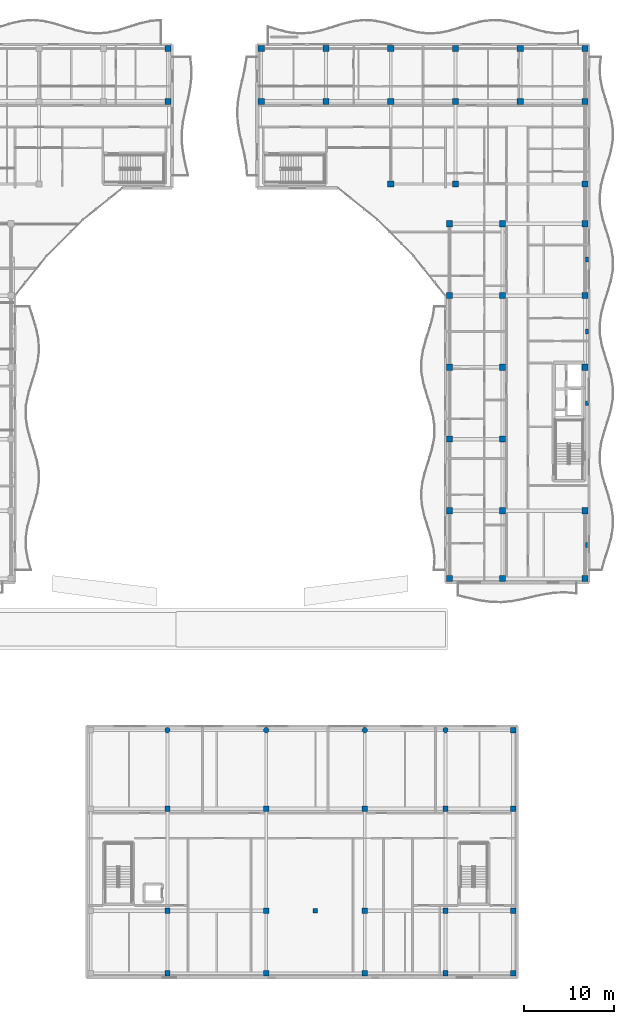
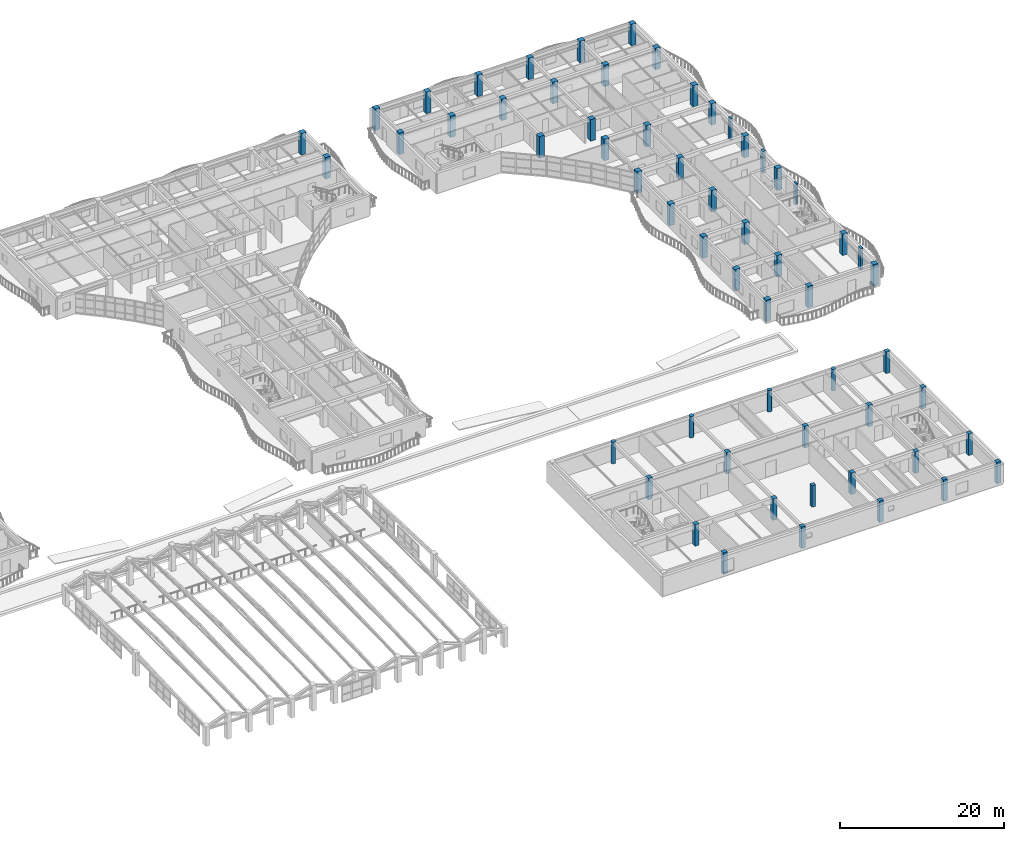
# One storey, part 3 of 128: 59 columns.
"""IFC4 building model written with IfcOpenShell, lengths in metres."""

from ifc_helpers import new_model, si_unit, direction, frame, origin, origin_2d, place, context, subcontext, project, spatial, rectangle, circle, extrude, material, material_profile, profile_set, type_object, element, save


model = new_model("IFC4")

# Units and contexts
model_context = context("Model", 3, precision=1e-05, world=origin(), true_north=direction((0.0, 1.0)))
body_context = subcontext(model_context, "Body", "Model", "MODEL_VIEW")
ifc_project = project(units=[si_unit("LENGTHUNIT", "METRE"), si_unit("AREAUNIT", "SQUARE_METRE"), si_unit("VOLUMEUNIT", "CUBIC_METRE"), si_unit("PLANEANGLEUNIT", "RADIAN"), si_unit("MASSUNIT", "GRAM", prefix="KILO")], contexts=[model_context])

# Site, building, storey
site_placement = place(None, origin())
site = spatial("IfcSite", under=ifc_project, at=site_placement, CompositionType="ELEMENT")
building_placement = place(site_placement, origin())
building = spatial("IfcBuilding", under=site, at=building_placement, Name="Keldmere Railside Commons", CompositionType="ELEMENT")
storey_placement = place(building_placement, frame((0.0, 0.0, 4.159912109375)))
storey = spatial("IfcBuildingStorey", under=building, at=storey_placement, Name="L01", CompositionType="ELEMENT", Elevation=4.159912109375)

# Columns
ifc_material_1 = material(Name="Concrete H-35 (C35/45)", Category="concrete")
ifc_material_profile_1 = material_profile(ifc_material_1, circle(Radius=0.300048828125, at=origin_2d()), Name="RC-DIA600")
ifc_profile_set_1 = profile_set([ifc_material_profile_1], Name="Concrete H-35 (C35/45)")
column_type_1 = type_object("IfcColumnType", Name="Court Loggia Circular Column D600", PredefinedType="COLUMN", material=ifc_profile_set_1)
for number, where, z_axis, x_axis, name in (
    (1, (137.0, 39.550048828125, 0.0), (0.0, 0.0, 1.0), (1.0, 0.0, 0.0), "C-R600 COL-L01-1340"),
    (2, (148.0, 39.550048828125, 0.0), (0.0, 0.0, 1.0), (1.0, 0.0, 0.0), "C-R600 COL-L01-1414"),
    (3, (159.0, 39.550048828125, 0.0), (0.0, 0.0, 1.0), (1.0, 0.0, 0.0), "C-R600 COL-L01-1470"),
    (4, (168.0, 39.550048828125, 0.0), (0.0, 0.0, 1.0), (1.0, 0.0, 0.0), "C-R600 COL-L01-1537"),
):
    element("IfcColumn", number, at=place(storey_placement, frame(where, z_axis=z_axis, x_axis=x_axis)), inside=storey, type_object=column_type_1, Name=name, PredefinedType="COLUMN", context=body_context, shape_type="SweptSolid", body=[
        extrude(circle(Radius=0.300048828125, at=origin_2d()), origin(), (0.0, 0.0, 1.0), 3.2001953125),
    ])
ifc_material_2 = material(Name="Architectural Precast Concrete H-35 (C35/45)", Category="concrete")
ifc_material_profile_2 = material_profile(ifc_material_2, rectangle(XDim=0.35009765625, YDim=0.550048828125, at=origin_2d()), Name="RC-350x550")
ifc_profile_set_2 = profile_set([ifc_material_profile_2], Name="Architectural Precast Concrete H-35 (C35/45)")
column_type_2 = type_object("IfcColumnType", Name="Facade Precast Pilaster Column 350x550", PredefinedType="PILASTER", material=ifc_profile_set_2)
for number, where, z_axis, x_axis, name in (
    (5, (183.780029296875, 60.199951171875, 0.0), (0.0, 0.0, 1.0), (1.0, 0.0, 0.0), "C-PIL COL-L01-1914"),
    (6, (183.780029296875, 76.0, 0.0), (0.0, 0.0, 1.0), (1.0, 0.0, 0.0), "C-PIL COL-L01-1919"),
    (7, (183.780029296875, 84.0, 0.0), (0.0, 0.0, 1.0), (1.0, 0.0, 0.0), "C-PIL COL-L01-1924"),
    (8, (183.780029296875, 92.0, 0.0), (0.0, 0.0, 1.0), (1.0, 0.0, 0.0), "C-PIL COL-L01-1929"),
):
    element("IfcColumn", number, at=place(storey_placement, frame(where, z_axis=z_axis, x_axis=x_axis)), inside=storey, type_object=column_type_2, Name=name, PredefinedType="PILASTER", context=body_context, shape_type="SweptSolid", body=[
        extrude(rectangle(XDim=0.35009765625, YDim=0.550048828125, at=origin_2d()), origin(), (0.0, 0.0, 1.0), 3.2001953125),
    ])
ifc_material_3 = material(Name="Concrete H-40 (C40/50)", Category="concrete")
ifc_material_profile_3 = material_profile(ifc_material_3, rectangle(XDim=0.699951171875, YDim=0.699951171875, at=origin_2d()), Name="RC-700x700")
ifc_profile_set_3 = profile_set([ifc_material_profile_3], Name="Concrete H-40 (C40/50)")
column_type_3 = type_object("IfcColumnType", Name="Lower Residential RC Column 700x700", PredefinedType="COLUMN", material=ifc_profile_set_3)
for number, where, z_axis, x_axis, name in (
    (9, (137.050048828125, 109.64990234375, 0.0), (0.0, 0.0, 1.0), (1.0, 0.0, 0.0), "C-700 COL-L01-1344"),
    (10, (137.050048828125, 115.550048828125, 0.0), (0.0, 0.0, 1.0), (1.0, 0.0, 0.0), "C-700 COL-L01-1357"),
    (11, (147.449951171875, 109.64990234375, 0.0), (0.0, 0.0, 1.0), (1.0, 0.0, 0.0), "C-700 COL-L01-1374"),
    (12, (147.449951171875, 115.550048828125, 0.0), (0.0, 0.0, 1.0), (1.0, 0.0, 0.0), "C-700 COL-L01-1389"),
    (13, (154.669921875, 109.64990234375, 0.0), (0.0, 0.0, 1.0), (1.0, 0.0, 0.0), "C-700 COL-L01-1426"),
    (14, (154.669921875, 115.550048828125, 0.0), (0.0, 0.0, 1.0), (1.0, 0.0, 0.0), "C-700 COL-L01-1441"),
    (15, (161.889892578125, 100.449951171875, 0.0), (0.0, 0.0, 1.0), (1.0, 0.0, 0.0), "C-700 COL-L01-1479"),
    (16, (161.889892578125, 109.64990234375, 0.0), (0.0, 0.0, 1.0), (1.0, 0.0, 0.0), "C-700 COL-L01-1495"),
    (17, (161.889892578125, 115.550048828125, 0.0), (0.0, 0.0, 1.0), (1.0, 0.0, 0.0), "C-700 COL-L01-1510"),
    (18, (168.449951171875, 56.449951171875, 0.0), (0.0, 0.0, 1.0), (1.0, 0.0, 0.0), "C-700 COL-L01-1545"),
    (19, (168.449951171875, 64.0, 0.0), (0.0, 0.0, 1.0), (1.0, 0.0, 0.0), "C-700 COL-L01-1555"),
    (20, (168.449951171875, 72.0, 0.0), (0.0, 0.0, 1.0), (1.0, 0.0, 0.0), "C-700 COL-L01-1569"),
    (21, (168.449951171875, 80.0, 0.0), (0.0, 0.0, 1.0), (1.0, 0.0, 0.0), "C-700 COL-L01-1584"),
    (22, (168.449951171875, 88.0, 0.0), (0.0, 0.0, 1.0), (1.0, 0.0, 0.0), "C-700 COL-L01-1599"),
    (23, (168.449951171875, 96.0, 0.0), (0.0, 0.0, 1.0), (1.0, 0.0, 0.0), "C-700 COL-L01-1614"),
    (24, (169.110107421875, 100.449951171875, 0.0), (0.0, 0.0, 1.0), (1.0, 0.0, 0.0), "C-700 COL-L01-1629"),
    (25, (169.110107421875, 109.64990234375, 0.0), (0.0, 0.0, 1.0), (1.0, 0.0, 0.0), "C-700 COL-L01-1645"),
    (26, (169.110107421875, 115.550048828125, 0.0), (0.0, 0.0, 1.0), (1.0, 0.0, 0.0), "C-700 COL-L01-1660"),
    (27, (174.35009765625, 56.449951171875, 0.0), (0.0, 0.0, 1.0), (1.0, 0.0, 0.0), "C-700 COL-L01-1671"),
    (28, (174.35009765625, 64.0, 0.0), (0.0, 0.0, 1.0), (1.0, 0.0, 0.0), "C-700 COL-L01-1681"),
    (29, (174.35009765625, 72.0, 0.0), (0.0, 0.0, 1.0), (1.0, 0.0, 0.0), "C-700 COL-L01-1695"),
    (30, (174.35009765625, 80.0, 0.0), (0.0, 0.0, 1.0), (1.0, 0.0, 0.0), "C-700 COL-L01-1710"),
    (31, (174.35009765625, 88.0, 0.0), (0.0, 0.0, 1.0), (1.0, 0.0, 0.0), "C-700 COL-L01-1725"),
    (32, (174.35009765625, 96.0, 0.0), (0.0, 0.0, 1.0), (1.0, 0.0, 0.0), "C-700 COL-L01-1740"),
    (33, (176.330078125, 109.64990234375, 0.0), (0.0, 0.0, 1.0), (1.0, 0.0, 0.0), "C-700 COL-L01-1773"),
    (34, (176.330078125, 115.550048828125, 0.0), (0.0, 0.0, 1.0), (1.0, 0.0, 0.0), "C-700 COL-L01-1788"),
    (35, (183.550048828125, 56.449951171875, 0.0), (0.0, 0.0, 1.0), (1.0, 0.0, 0.0), "C-700 COL-L01-1803"),
    (36, (183.550048828125, 64.0, 0.0), (0.0, 0.0, 1.0), (1.0, 0.0, 0.0), "C-700 COL-L01-1813"),
    (37, (183.550048828125, 80.0, 0.0), (0.0, 0.0, 1.0), (1.0, 0.0, 0.0), "C-700 COL-L01-1827"),
    (38, (183.550048828125, 88.0, 0.0), (0.0, 0.0, 1.0), (1.0, 0.0, 0.0), "C-700 COL-L01-1842"),
    (39, (183.550048828125, 96.0, 0.0), (0.0, 0.0, 1.0), (1.0, 0.0, 0.0), "C-700 COL-L01-1857"),
    (40, (183.550048828125, 100.449951171875, 0.0), (0.0, 0.0, 1.0), (1.0, 0.0, 0.0), "C-700 COL-L01-1872"),
    (41, (183.550048828125, 109.64990234375, 0.0), (0.0, 0.0, 1.0), (1.0, 0.0, 0.0), "C-700 COL-L01-1888"),
    (42, (183.550048828125, 115.550048828125, 0.0), (0.0, 0.0, 1.0), (1.0, 0.0, 0.0), "C-700 COL-L01-1903"),
):
    element("IfcColumn", number, at=place(storey_placement, frame(where, z_axis=z_axis, x_axis=x_axis)), inside=storey, type_object=column_type_3, Name=name, PredefinedType="COLUMN", context=body_context, shape_type="SweptSolid", body=[
        extrude(rectangle(XDim=0.699951171875, YDim=0.699951171875, at=origin_2d()), origin(), (0.0, 0.0, 1.0), 3.2001953125),
    ])
ifc_material_profile_4 = material_profile(ifc_material_1, rectangle(XDim=0.60009765625, YDim=0.60009765625, at=origin_2d()), Name="RC-600x600")
ifc_profile_set_4 = profile_set([ifc_material_profile_4], Name="Concrete H-35 (C35/45)")
column_type_4 = type_object("IfcColumnType", Name="Mid-Rise RC Column 600x600", PredefinedType="COLUMN", material=ifc_profile_set_4)
for number, where, z_axis, x_axis, name in (
    (43, (137.0, 12.449951171875, 0.0), (0.0, 0.0, 1.0), (1.0, 0.0, 0.0), "C-600 COL-L01-1326"),
    (44, (137.0, 19.39990234375, 0.0), (0.0, 0.0, 1.0), (1.0, 0.0, 0.0), "C-600 COL-L01-1330"),
    (45, (137.0, 30.800048828125, 0.0), (0.0, 0.0, 1.0), (1.0, 0.0, 0.0), "C-600 COL-L01-1335"),
    (46, (148.0, 12.449951171875, 0.0), (0.0, 0.0, 1.0), (1.0, 0.0, 0.0), "C-600 COL-L01-1400"),
    (47, (148.0, 19.39990234375, 0.0), (0.0, 0.0, 1.0), (1.0, 0.0, 0.0), "C-600 COL-L01-1404"),
    (48, (148.0, 30.800048828125, 0.0), (0.0, 0.0, 1.0), (1.0, 0.0, 0.0), "C-600 COL-L01-1409"),
    (49, (159.0, 12.449951171875, 0.0), (0.0, 0.0, 1.0), (1.0, 0.0, 0.0), "C-600 COL-L01-1456"),
    (50, (159.0, 19.39990234375, 0.0), (0.0, 0.0, 1.0), (1.0, 0.0, 0.0), "C-600 COL-L01-1460"),
    (51, (159.0, 30.800048828125, 0.0), (0.0, 0.0, 1.0), (1.0, 0.0, 0.0), "C-600 COL-L01-1465"),
    (52, (168.0, 12.449951171875, 0.0), (0.0, 0.0, 1.0), (1.0, 0.0, 0.0), "C-600 COL-L01-1523"),
    (53, (168.0, 19.39990234375, 0.0), (0.0, 0.0, 1.0), (1.0, 0.0, 0.0), "C-600 COL-L01-1527"),
    (54, (168.0, 30.800048828125, 0.0), (0.0, 0.0, 1.0), (1.0, 0.0, 0.0), "C-600 COL-L01-1532"),
    (55, (175.550048828125, 12.449951171875, 0.0), (0.0, 0.0, 1.0), (1.0, 0.0, 0.0), "C-600 COL-L01-1757"),
    (56, (175.550048828125, 19.39990234375, 0.0), (0.0, 0.0, 1.0), (1.0, 0.0, 0.0), "C-600 COL-L01-1761"),
    (57, (175.550048828125, 30.800048828125, 0.0), (0.0, 0.0, 1.0), (1.0, 0.0, 0.0), "C-600 COL-L01-1765"),
    (58, (175.550048828125, 39.550048828125, 0.0), (0.0, 0.0, 1.0), (1.0, 0.0, 0.0), "C-600 COL-L01-1769"),
):
    element("IfcColumn", number, at=place(storey_placement, frame(where, z_axis=z_axis, x_axis=x_axis)), inside=storey, type_object=column_type_4, Name=name, PredefinedType="COLUMN", context=body_context, shape_type="SweptSolid", body=[
        extrude(rectangle(XDim=0.60009765625, YDim=0.60009765625, at=origin_2d()), origin(), (0.0, 0.0, 1.0), 3.2001953125),
    ])
ifc_material_profile_5 = material_profile(ifc_material_1, rectangle(XDim=0.5, YDim=0.5, at=origin_2d()), Name="RC-500x500")
ifc_profile_set_5 = profile_set([ifc_material_profile_5], Name="Concrete H-35 (C35/45)")
column_type_5 = type_object("IfcColumnType", Name="Upper Residential RC Column 500x500", PredefinedType="COLUMN", material=ifc_profile_set_5)
column_placement = place(storey_placement, frame((153.5, 19.39990234375, 0.0), z_axis=(0.0, 0.0, 1.0), x_axis=(1.0, 0.0, 0.0)))
element("IfcColumn", 59, at=column_placement, inside=storey, type_object=column_type_5, Name="C-500 COL-L01-1422", PredefinedType="COLUMN", context=body_context, shape_type="SweptSolid", body=[
    extrude(rectangle(XDim=0.5, YDim=0.5, at=origin_2d()), origin(), (0.0, 0.0, 1.0), 3.2001953125),
])

save(model, "model.ifc")
